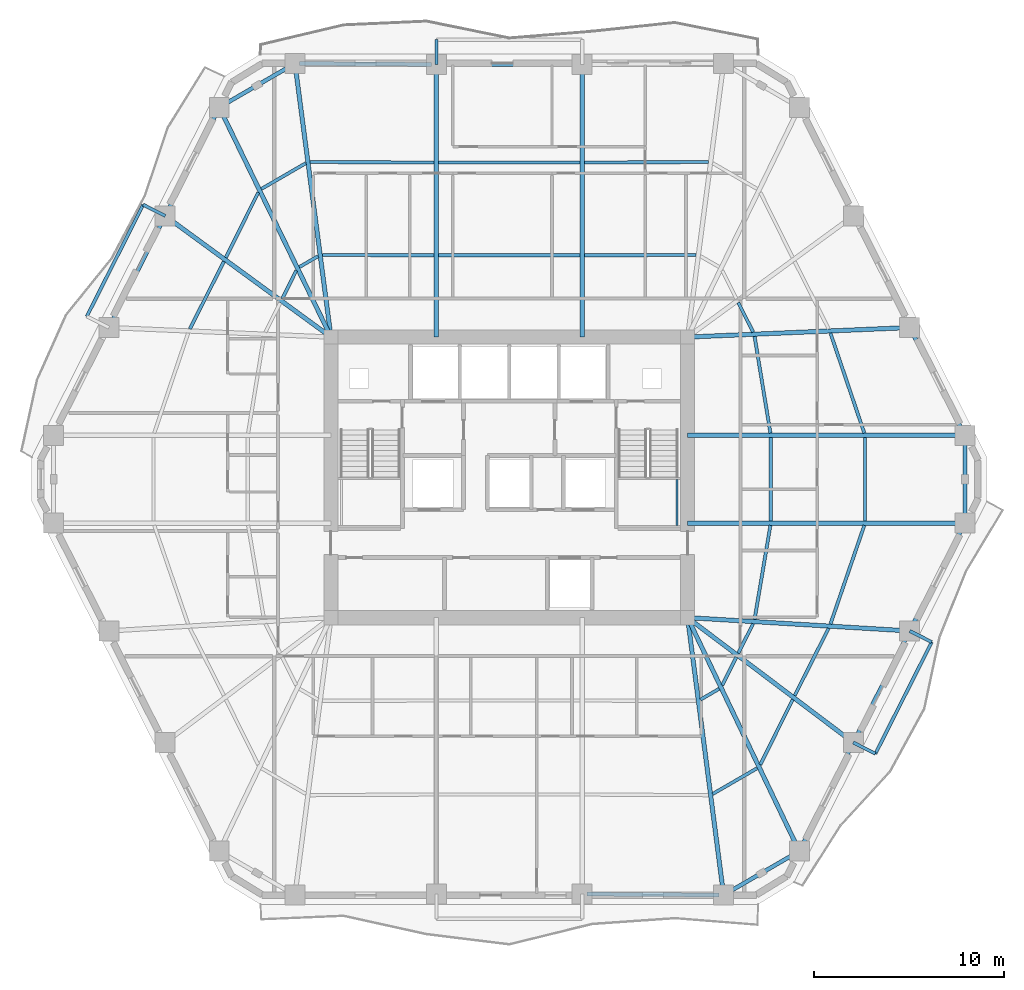
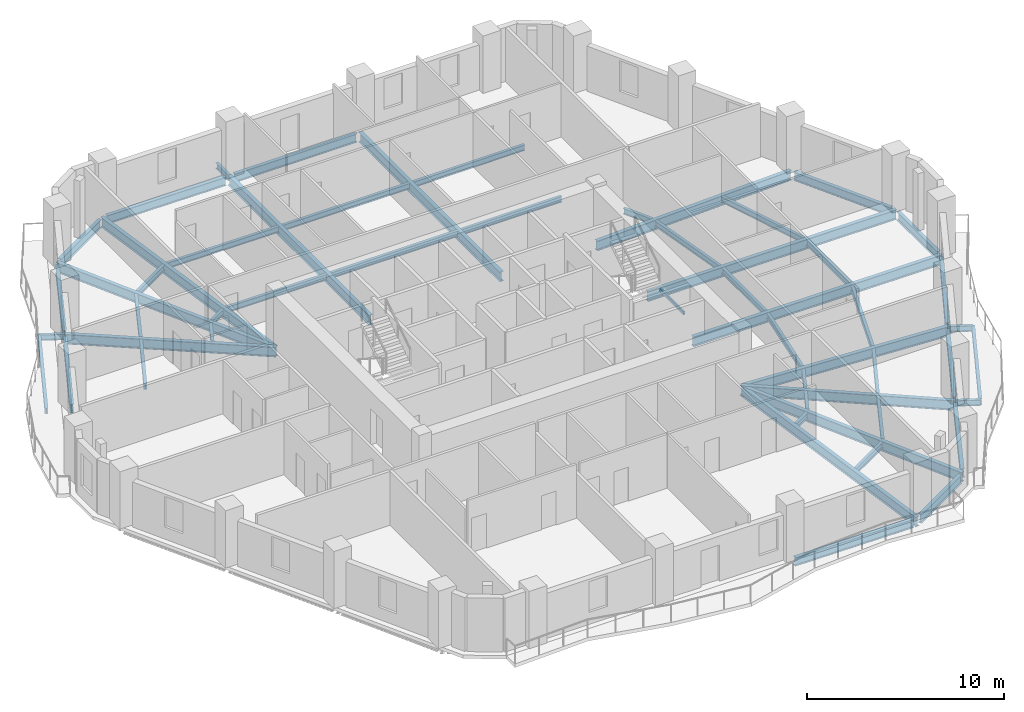
# One storey, part 2 of 10: 55 beams.
"""IFC4 building model written with IfcOpenShell, lengths in metres."""

from ifc_helpers import new_model, si_unit, direction, frame, origin, origin_2d, place, context, subcontext, project, spatial, hollow_rectangle, i_section, extrude, material, material_profile, profile_set, type_object, element, save


model = new_model("IFC4")

# Units and contexts
model_context = context("Model", 3, precision=1e-05, world=origin(), true_north=direction((0.0, 1.0)))
body_context = subcontext(model_context, "Body", "Model", "MODEL_VIEW")
ifc_project = project(units=[si_unit("LENGTHUNIT", "METRE"), si_unit("AREAUNIT", "SQUARE_METRE"), si_unit("VOLUMEUNIT", "CUBIC_METRE"), si_unit("PLANEANGLEUNIT", "RADIAN"), si_unit("MASSUNIT", "GRAM", prefix="KILO")], contexts=[model_context])

# Site, building, storey
site_placement = place(None, origin())
site = spatial("IfcSite", under=ifc_project, at=site_placement, CompositionType="ELEMENT")
building_placement = place(site_placement, origin())
building = spatial("IfcBuilding", under=site, at=building_placement, Name="Cinnabar Lancet Tower", CompositionType="ELEMENT")
storey_placement = place(building_placement, frame((0.0, 0.0, 116.14990234375)))
storey = spatial("IfcBuildingStorey", under=building, at=storey_placement, Name="L30", CompositionType="ELEMENT", Elevation=116.14990234375)

# Beams
ifc_material_1 = material(Name="Structural steel S355", Category="steel")
ifc_material_profile_1 = material_profile(ifc_material_1, i_section(OverallWidth=0.17138671875, OverallDepth=0.35498046875, WebThickness=0.00732421875, FlangeThickness=0.011474609375, FilletRadius=0.01025390625, at=origin_2d()), Name="UKB 356x171x51")
ifc_profile_set_1 = profile_set([ifc_material_profile_1], Name="Structural steel S355")
beam_type_1 = type_object("IfcBeamType", Name="STR-BM-JST-356", PredefinedType="JOIST", material=ifc_profile_set_1)
beam_1_placement = place(storey_placement, frame((43.093994140625, 9.251953125, -0.386962890625), z_axis=(0.865172906898, 0.501473669469, 0.0), x_axis=(-0.501473669469, 0.865172906898, 0.0)))
element("IfcBeam", 1, at=beam_1_placement, inside=storey, type_object=beam_type_1, Name="L30 Secondary Floor Joist 15", PredefinedType="JOIST", context=body_context, shape_type="SweptSolid", body=[
    extrude(i_section(OverallWidth=0.17138671875, OverallDepth=0.35498046875, WebThickness=0.00732421875, FlangeThickness=0.011474609375, FilletRadius=0.01025390625, at=origin_2d()), origin(), (0.0, 0.0, 1.0), 2.705810546875),
])
beam_2_placement = place(storey_placement, frame((42.449951171875, 14.2109375, -0.386962890625), z_axis=(0.865055308165, 0.501676503154, 0.0), x_axis=(-0.501676503154, 0.865055308165, 0.0)))
element("IfcBeam", 2, at=beam_2_placement, inside=storey, type_object=beam_type_1, Name="L30 Secondary Floor Joist 16", PredefinedType="JOIST", context=body_context, shape_type="SweptSolid", body=[
    extrude(i_section(OverallWidth=0.17138671875, OverallDepth=0.35498046875, WebThickness=0.00732421875, FlangeThickness=0.011474609375, FilletRadius=0.01025390625, at=origin_2d()), origin(), (0.0, 0.0, 1.0), 1.14208984375),
])
beam_3_placement = place(storey_placement, frame((45.59912109375, 10.7958984375, -0.386962890625), z_axis=(0.445295120803, 0.895383859241, 0.0), x_axis=(-0.895383859241, 0.445295120803, 0.0)))
element("IfcBeam", 3, at=beam_3_placement, inside=storey, type_object=beam_type_1, Name="L30 Secondary Floor Joist 17", PredefinedType="JOIST", context=body_context, shape_type="SweptSolid", body=[
    extrude(i_section(OverallWidth=0.17138671875, OverallDepth=0.35498046875, WebThickness=0.00732421875, FlangeThickness=0.011474609375, FilletRadius=0.01025390625, at=origin_2d()), origin(), (0.0, 0.0, 1.0), 3.81982421875),
])
beam_4_placement = place(storey_placement, frame((43.60205078125, 14.970947265625, -0.386962890625), z_axis=(0.44543923568, 0.895312173109, 0.0), x_axis=(-0.895312173109, 0.44543923568, 0.0)))
element("IfcBeam", 4, at=beam_4_placement, inside=storey, type_object=beam_type_1, Name="L30 Secondary Floor Joist 18", PredefinedType="JOIST", context=body_context, shape_type="SweptSolid", body=[
    extrude(i_section(OverallWidth=0.17138671875, OverallDepth=0.35498046875, WebThickness=0.00732421875, FlangeThickness=0.011474609375, FilletRadius=0.01025390625, at=origin_2d()), origin(), (0.0, 0.0, 1.0), 1.65185546875),
])
beam_5_placement = place(storey_placement, frame((47.404052734375, 14.424072265625, -0.386962890625), z_axis=(0.450706028652, 0.892672434736, 0.0), x_axis=(-0.892672434736, 0.450706028652, 0.0)))
element("IfcBeam", 5, at=beam_5_placement, inside=storey, type_object=beam_type_1, Name="L30 Secondary Floor Joist 19", PredefinedType="JOIST", context=body_context, shape_type="SweptSolid", body=[
    extrude(i_section(OverallWidth=0.17138671875, OverallDepth=0.35498046875, WebThickness=0.00732421875, FlangeThickness=0.011474609375, FilletRadius=0.01025390625, at=origin_2d()), origin(), (0.0, 0.0, 1.0), 3.966796875),
])
beam_6_placement = place(storey_placement, frame((44.44091796875, 16.657958984375, -0.386962890625), z_axis=(0.450874341268, 0.892587434589, 0.0), x_axis=(-0.892587434589, 0.450874341268, 0.0)))
element("IfcBeam", 6, at=beam_6_placement, inside=storey, type_object=beam_type_1, Name="L30 Secondary Floor Joist 20", PredefinedType="JOIST", context=body_context, shape_type="SweptSolid", body=[
    extrude(i_section(OverallWidth=0.17138671875, OverallDepth=0.35498046875, WebThickness=0.00732421875, FlangeThickness=0.011474609375, FilletRadius=0.01025390625, at=origin_2d()), origin(), (0.0, 0.0, 1.0), 1.732177734375),
])
beam_7_placement = place(storey_placement, frame((49.287109375, 18.18798828125, -0.386962890625), z_axis=(0.324639458548, 0.945837841257, 0.0), x_axis=(-0.945837841257, 0.324639458548, 0.0)))
element("IfcBeam", 7, at=beam_7_placement, inside=storey, type_object=beam_type_1, Name="L30 Secondary Floor Joist 21", PredefinedType="JOIST", context=body_context, shape_type="SweptSolid", body=[
    extrude(i_section(OverallWidth=0.17138671875, OverallDepth=0.35498046875, WebThickness=0.00732421875, FlangeThickness=0.011474609375, FilletRadius=0.01025390625, at=origin_2d()), origin(), (0.0, 0.0, 1.0), 5.486083984375),
])
beam_8_placement = place(storey_placement, frame((45.297119140625, 18.427978515625, -0.386962890625), z_axis=(0.165937104691, 0.986136338082, 0.0), x_axis=(-0.986136338082, 0.165937104691, 0.0)))
element("IfcBeam", 8, at=beam_8_placement, inside=storey, type_object=beam_type_1, Name="L30 Secondary Floor Joist 22", PredefinedType="JOIST", context=body_context, shape_type="SweptSolid", body=[
    extrude(i_section(OverallWidth=0.17138671875, OverallDepth=0.35498046875, WebThickness=0.00732421875, FlangeThickness=0.011474609375, FilletRadius=0.01025390625, at=origin_2d()), origin(), (0.0, 0.0, 1.0), 5.0185546875),
])
for number, where, z_axis, x_axis, name in (
    (9, (51.10693359375, 23.60498046875, -0.386962890625), (0.0, 1.0, 0.0), (-1.0, 0.0, 0.0), "L30 Secondary Floor Joist 23"),
    (10, (46.14990234375, 23.60498046875, -0.386962890625), (0.0, 1.0, 0.0), (-1.0, 0.0, 0.0), "L30 Secondary Floor Joist 24"),
):
    element("IfcBeam", number, at=place(storey_placement, frame(where, z_axis=z_axis, x_axis=x_axis)), inside=storey, type_object=beam_type_1, Name=name, PredefinedType="JOIST", context=body_context, shape_type="SweptSolid", body=[
        extrude(i_section(OverallWidth=0.17138671875, OverallDepth=0.35498046875, WebThickness=0.00732421875, FlangeThickness=0.011474609375, FilletRadius=0.01025390625, at=origin_2d()), origin(), (0.0, 0.0, 1.0), 4.39013671875),
    ])
beam_9_placement = place(storey_placement, frame((51.069091796875, 28.222900390625, -0.386962890625), z_axis=(-0.321063338019, 0.947057724207, 0.0), x_axis=(-0.947057724207, -0.321063338019, 0.0)))
element("IfcBeam", 11, at=beam_9_placement, inside=storey, type_object=beam_type_1, Name="L30 Secondary Floor Joist 25", PredefinedType="JOIST", context=body_context, shape_type="SweptSolid", body=[
    extrude(i_section(OverallWidth=0.17138671875, OverallDepth=0.35498046875, WebThickness=0.00732421875, FlangeThickness=0.011474609375, FilletRadius=0.01025390625, at=origin_2d()), origin(), (0.0, 0.0, 1.0), 5.553955078125),
])
beam_10_placement = place(storey_placement, frame((46.131103515625, 28.222900390625, -0.386962890625), z_axis=(-0.161719098977, 0.986836832017, 0.0), x_axis=(-0.986836832017, -0.161719098977, 0.0)))
element("IfcBeam", 12, at=beam_10_placement, inside=storey, type_object=beam_type_1, Name="L30 Secondary Floor Joist 26", PredefinedType="JOIST", context=body_context, shape_type="SweptSolid", body=[
    extrude(i_section(OverallWidth=0.17138671875, OverallDepth=0.35498046875, WebThickness=0.00732421875, FlangeThickness=0.011474609375, FilletRadius=0.01025390625, at=origin_2d()), origin(), (0.0, 0.0, 1.0), 5.156982421875),
])
beam_11_placement = place(storey_placement, frame((45.221923828125, 33.537109375, -0.386962890625), z_axis=(-0.450931068976, 0.892558777354, 0.0), x_axis=(-0.892558777354, -0.450931068976, 0.0)))
element("IfcBeam", 13, at=beam_11_placement, inside=storey, type_object=beam_type_1, Name="L30 Secondary Floor Joist 28", PredefinedType="JOIST", context=body_context, shape_type="SweptSolid", body=[
    extrude(i_section(OverallWidth=0.17138671875, OverallDepth=0.35498046875, WebThickness=0.00732421875, FlangeThickness=0.011474609375, FilletRadius=0.01025390625, at=origin_2d()), origin(), (0.0, 0.0, 1.0), 1.73193359375),
])
beam_12_placement = place(storey_placement, frame((42.8720703125, 42.48095703125, -0.386962890625), z_axis=(-0.999987991898, -0.004900618269, 0.0), x_axis=(0.004900618269, -0.999987991898, 0.0)))
element("IfcBeam", 14, at=beam_12_placement, inside=storey, type_object=beam_type_1, Name="L30 Secondary Floor Joist 33", PredefinedType="JOIST", context=body_context, shape_type="SweptSolid", body=[
    extrude(i_section(OverallWidth=0.17138671875, OverallDepth=0.35498046875, WebThickness=0.00732421875, FlangeThickness=0.011474609375, FilletRadius=0.01025390625, at=origin_2d()), origin(), (0.0, 0.0, 1.0), 6.526123046875),
])
beam_13_placement = place(storey_placement, frame((42.22802734375, 37.591064453125, -0.386962890625), z_axis=(-0.999996247906, -0.002739374605, 0.0), x_axis=(0.002739374605, -0.999996247906, 0.0)))
element("IfcBeam", 15, at=beam_13_placement, inside=storey, type_object=beam_type_1, Name="L30 Secondary Floor Joist 34", PredefinedType="JOIST", context=body_context, shape_type="SweptSolid", body=[
    extrude(i_section(OverallWidth=0.17138671875, OverallDepth=0.35498046875, WebThickness=0.00732421875, FlangeThickness=0.011474609375, FilletRadius=0.01025390625, at=origin_2d()), origin(), (0.0, 0.0, 1.0), 5.882080078125),
])
for number, where, z_axis, x_axis, name in (
    (16, (36.117919921875, 42.447998046875, -0.386962890625), (-1.0, 0.0, 0.0), (0.0, -1.0, 0.0), "L30 Secondary Floor Joist 35"),
    (17, (36.117919921875, 37.574951171875, -0.386962890625), (-1.0, 0.0, 0.0), (0.0, -1.0, 0.0), "L30 Secondary Floor Joist 36"),
):
    element("IfcBeam", number, at=place(storey_placement, frame(where, z_axis=z_axis, x_axis=x_axis)), inside=storey, type_object=beam_type_1, Name=name, PredefinedType="JOIST", context=body_context, shape_type="SweptSolid", body=[
        extrude(i_section(OverallWidth=0.17138671875, OverallDepth=0.35498046875, WebThickness=0.00732421875, FlangeThickness=0.011474609375, FilletRadius=0.01025390625, at=origin_2d()), origin(), (0.0, 0.0, 1.0), 7.43603515625),
    ])
beam_14_placement = place(storey_placement, frame((28.4541015625, 42.448974609375, -0.386962890625), z_axis=(-0.999987991898, 0.004900618269, 0.0), x_axis=(-0.004900618269, -0.999987991898, 0.0)))
element("IfcBeam", 18, at=beam_14_placement, inside=storey, type_object=beam_type_1, Name="L30 Secondary Floor Joist 37", PredefinedType="JOIST", context=body_context, shape_type="SweptSolid", body=[
    extrude(i_section(OverallWidth=0.17138671875, OverallDepth=0.35498046875, WebThickness=0.00732421875, FlangeThickness=0.011474609375, FilletRadius=0.01025390625, at=origin_2d()), origin(), (0.0, 0.0, 1.0), 6.526123046875),
])
beam_15_placement = place(storey_placement, frame((28.4541015625, 37.574951171875, -0.386962890625), z_axis=(-0.999996247906, 0.002739374605, 0.0), x_axis=(-0.002739374605, -0.999996247906, 0.0)))
element("IfcBeam", 19, at=beam_15_placement, inside=storey, type_object=beam_type_1, Name="L30 Secondary Floor Joist 38", PredefinedType="JOIST", context=body_context, shape_type="SweptSolid", body=[
    extrude(i_section(OverallWidth=0.17138671875, OverallDepth=0.35498046875, WebThickness=0.00732421875, FlangeThickness=0.011474609375, FilletRadius=0.01025390625, at=origin_2d()), origin(), (0.0, 0.0, 1.0), 5.882080078125),
])
beam_16_placement = place(storey_placement, frame((21.7060546875, 42.419921875, -0.386962890625), z_axis=(-0.865172906898, -0.501473669469, 0.0), x_axis=(0.501473669469, -0.865172906898, 0.0)))
element("IfcBeam", 20, at=beam_16_placement, inside=storey, type_object=beam_type_1, Name="L30 Secondary Floor Joist 39", PredefinedType="JOIST", context=body_context, shape_type="SweptSolid", body=[
    extrude(i_section(OverallWidth=0.17138671875, OverallDepth=0.35498046875, WebThickness=0.00732421875, FlangeThickness=0.011474609375, FilletRadius=0.01025390625, at=origin_2d()), origin(), (0.0, 0.0, 1.0), 2.705810546875),
])
beam_17_placement = place(storey_placement, frame((22.35009765625, 37.529052734375, -0.386962890625), z_axis=(-0.865055308165, -0.501676503154, 0.0), x_axis=(0.501676503154, -0.865055308165, 0.0)))
element("IfcBeam", 21, at=beam_17_placement, inside=storey, type_object=beam_type_1, Name="L30 Secondary Floor Joist 40", PredefinedType="JOIST", context=body_context, shape_type="SweptSolid", body=[
    extrude(i_section(OverallWidth=0.17138671875, OverallDepth=0.35498046875, WebThickness=0.00732421875, FlangeThickness=0.011474609375, FilletRadius=0.01025390625, at=origin_2d()), origin(), (0.0, 0.0, 1.0), 1.14208984375),
])
beam_18_placement = place(storey_placement, frame((19.200927734375, 40.876953125, -0.386962890625), z_axis=(-0.445116798807, -0.895472520751, 0.0), x_axis=(0.895472520751, -0.445116798807, 0.0)))
element("IfcBeam", 22, at=beam_18_placement, inside=storey, type_object=beam_type_1, Name="L30 Secondary Floor Joist 41", PredefinedType="JOIST", context=body_context, shape_type="SweptSolid", body=[
    extrude(i_section(OverallWidth=0.17138671875, OverallDepth=0.35498046875, WebThickness=0.00732421875, FlangeThickness=0.011474609375, FilletRadius=0.01025390625, at=origin_2d()), origin(), (0.0, 0.0, 1.0), 3.8212890625),
])
beam_19_placement = place(storey_placement, frame((21.198974609375, 36.77001953125, -0.386962890625), z_axis=(-0.445795466264, -0.895134851438, 0.0), x_axis=(0.895134851438, -0.445795466264, 0.0)))
element("IfcBeam", 23, at=beam_19_placement, inside=storey, type_object=beam_type_1, Name="L30 Secondary Floor Joist 42", PredefinedType="JOIST", context=body_context, shape_type="SweptSolid", body=[
    extrude(i_section(OverallWidth=0.17138671875, OverallDepth=0.35498046875, WebThickness=0.00732421875, FlangeThickness=0.011474609375, FilletRadius=0.01025390625, at=origin_2d()), origin(), (0.0, 0.0, 1.0), 1.6533203125),
])
beam_20_placement = place(storey_placement, frame((17.39599609375, 37.2490234375, -0.386962890625), z_axis=(-0.450656035687, -0.892697674187, 0.0), x_axis=(0.892697674187, -0.450656035687, 0.0)))
element("IfcBeam", 24, at=beam_20_placement, inside=storey, type_object=beam_type_1, Name="L30 Secondary Floor Joist 43", PredefinedType="JOIST", context=body_context, shape_type="SweptSolid", body=[
    extrude(i_section(OverallWidth=0.17138671875, OverallDepth=0.35498046875, WebThickness=0.00732421875, FlangeThickness=0.011474609375, FilletRadius=0.01025390625, at=origin_2d()), origin(), (0.0, 0.0, 1.0), 3.9677734375),
])
ifc_material_2 = material(Name="Structural steel S355", Category="steel")
ifc_material_profile_2 = material_profile(ifc_material_2, hollow_rectangle(XDim=0.10009765625, YDim=0.199951171875, WallThickness=0.008056640625, InnerFilletRadius=0.00390625, OuterFilletRadius=0.011962890625, at=origin_2d()), Name="RHS 200x100x8")
ifc_profile_set_2 = profile_set([ifc_material_profile_2], Name="Structural steel S355")
beam_type_2 = type_object("IfcBeamType", Name="STR-BM-LND-203", PredefinedType="BEAM", material=ifc_profile_set_2)
beam_21_placement = place(storey_placement, frame((41.219970703125, 23.3798828125, 1.47509765625), z_axis=(0.0, 1.0, 0.0), x_axis=(-1.0, 0.0, 0.0)))
element("IfcBeam", 25, at=beam_21_placement, inside=storey, type_object=beam_type_2, Name="L30 ST-2-L30 Landing Side Trimmer Beam", PredefinedType="BEAM", context=body_context, shape_type="SweptSolid", body=[
    extrude(hollow_rectangle(XDim=0.10009765625, YDim=0.199951171875, WallThickness=0.008056640625, InnerFilletRadius=0.00390625, OuterFilletRadius=0.011962890625, at=origin_2d()), origin(), (0.0, 0.0, 1.0), 2.4150390625),
])
ifc_material_3 = material(Name="Structural steel S355", Category="steel")
ifc_material_profile_3 = material_profile(ifc_material_3, i_section(OverallWidth=0.209228515625, OverallDepth=0.533203125, WebThickness=0.010009765625, FlangeThickness=0.015625, FilletRadius=0.0126953125, at=origin_2d()), Name="UKB 533x210x92")
ifc_profile_set_3 = profile_set([ifc_material_profile_3], Name="Structural steel S355")
beam_type_3 = type_object("IfcBeamType", Name="STR-BM-SPN-533", PredefinedType="SPANDREL", material=ifc_profile_set_3)
beam_22_placement = place(storey_placement, frame((36.48193359375, 3.989990234375, -0.476806640625), z_axis=(0.999974980359, -0.007073800628, 0.0), x_axis=(0.007073800628, 0.999974980359, 0.0)))
element("IfcBeam", 26, at=beam_22_placement, inside=storey, type_object=beam_type_3, Name="L30 Perimeter Spandrel 3", PredefinedType="SPANDREL", context=body_context, shape_type="SweptSolid", body=[
    extrude(i_section(OverallWidth=0.209228515625, OverallDepth=0.533203125, WebThickness=0.010009765625, FlangeThickness=0.015625, FilletRadius=0.0126953125, at=origin_2d()), origin(), (0.0, 0.0, 1.0), 6.937255859375),
])
beam_23_placement = place(storey_placement, frame((43.885009765625, 4.06396484375, -0.476806640625), z_axis=(0.865112299906, 0.501578217781, 0.0), x_axis=(-0.501578217781, 0.865112299906, 0.0)))
element("IfcBeam", 27, at=beam_23_placement, inside=storey, type_object=beam_type_3, Name="L30 Perimeter Spandrel 4", PredefinedType="SPANDREL", context=body_context, shape_type="SweptSolid", body=[
    extrude(i_section(OverallWidth=0.209228515625, OverallDepth=0.533203125, WebThickness=0.010009765625, FlangeThickness=0.015625, FilletRadius=0.0126953125, at=origin_2d()), origin(), (0.0, 0.0, 1.0), 4.101318359375),
])
beam_24_placement = place(storey_placement, frame((47.760009765625, 6.469970703125, -0.476806640625), z_axis=(0.445501068635, 0.89528140707, 0.0), x_axis=(-0.89528140707, 0.445501068635, 0.0)))
element("IfcBeam", 28, at=beam_24_placement, inside=storey, type_object=beam_type_3, Name="L30 Perimeter Spandrel 5", PredefinedType="SPANDREL", context=body_context, shape_type="SweptSolid", body=[
    extrude(i_section(OverallWidth=0.209228515625, OverallDepth=0.533203125, WebThickness=0.010009765625, FlangeThickness=0.015625, FilletRadius=0.0126953125, at=origin_2d()), origin(), (0.0, 0.0, 1.0), 5.87646484375),
])
beam_25_placement = place(storey_placement, frame((50.60205078125, 12.177978515625, -0.476806640625), z_axis=(0.450570325924, 0.892740937449, 0.0), x_axis=(-0.892740937449, 0.450570325924, 0.0)))
element("IfcBeam", 29, at=beam_25_placement, inside=storey, type_object=beam_type_3, Name="L30 Perimeter Spandrel 6", PredefinedType="SPANDREL", context=body_context, shape_type="SweptSolid", body=[
    extrude(i_section(OverallWidth=0.209228515625, OverallDepth=0.533203125, WebThickness=0.010009765625, FlangeThickness=0.015625, FilletRadius=0.0126953125, at=origin_2d()), origin(), (0.0, 0.0, 1.0), 6.07470703125),
])
beam_26_placement = place(storey_placement, frame((53.56591796875, 18.0458984375, -0.476806640625), z_axis=(0.456109733574, 0.889923542187, 0.0), x_axis=(-0.889923542187, 0.456109733574, 0.0)))
element("IfcBeam", 30, at=beam_26_placement, inside=storey, type_object=beam_type_3, Name="L30 Perimeter Spandrel 7", PredefinedType="SPANDREL", context=body_context, shape_type="SweptSolid", body=[
    extrude(i_section(OverallWidth=0.209228515625, OverallDepth=0.533203125, WebThickness=0.010009765625, FlangeThickness=0.015625, FilletRadius=0.0126953125, at=origin_2d()), origin(), (0.0, 0.0, 1.0), 5.869140625),
])
beam_27_placement = place(storey_placement, frame((56.35693359375, 23.740966796875, -0.476806640625), z_axis=(0.0, 1.0, 0.0), x_axis=(-1.0, 0.0, 0.0)))
element("IfcBeam", 31, at=beam_27_placement, inside=storey, type_object=beam_type_3, Name="L30 Perimeter Spandrel 8", PredefinedType="SPANDREL", context=body_context, shape_type="SweptSolid", body=[
    extrude(i_section(OverallWidth=0.209228515625, OverallDepth=0.533203125, WebThickness=0.010009765625, FlangeThickness=0.015625, FilletRadius=0.0126953125, at=origin_2d()), origin(), (0.0, 0.0, 1.0), 4.117919921875),
])
beam_28_placement = place(storey_placement, frame((56.242919921875, 28.3310546875, -0.476806640625), z_axis=(-0.456126618405, 0.889914888055, 0.0), x_axis=(-0.889914888055, -0.456126618405, 0.0)))
element("IfcBeam", 32, at=beam_28_placement, inside=storey, type_object=beam_type_3, Name="L30 Perimeter Spandrel 9", PredefinedType="SPANDREL", context=body_context, shape_type="SweptSolid", body=[
    extrude(i_section(OverallWidth=0.209228515625, OverallDepth=0.533203125, WebThickness=0.010009765625, FlangeThickness=0.015625, FilletRadius=0.0126953125, at=origin_2d()), origin(), (0.0, 0.0, 1.0), 5.868896484375),
])
beam_29_placement = place(storey_placement, frame((35.98193359375, 47.60791015625, -0.476806640625), z_axis=(-1.0, 0.0, 0.0), x_axis=(0.0, -1.0, 0.0)))
element("IfcBeam", 33, at=beam_29_placement, inside=storey, type_object=beam_type_3, Name="L30 Perimeter Spandrel 14", PredefinedType="SPANDREL", context=body_context, shape_type="SweptSolid", body=[
    extrude(i_section(OverallWidth=0.209228515625, OverallDepth=0.533203125, WebThickness=0.010009765625, FlangeThickness=0.015625, FilletRadius=0.0126953125, at=origin_2d()), origin(), (0.0, 0.0, 1.0), 7.163818359375),
])
beam_30_placement = place(storey_placement, frame((28.318115234375, 47.610107421875, -0.476806640625), z_axis=(-0.999975228682, 0.007038609338, 0.0), x_axis=(-0.007038609338, -0.999975228682, 0.0)))
element("IfcBeam", 34, at=beam_30_placement, inside=storey, type_object=beam_type_3, Name="L30 Perimeter Spandrel 15", PredefinedType="SPANDREL", context=body_context, shape_type="SweptSolid", body=[
    extrude(i_section(OverallWidth=0.209228515625, OverallDepth=0.533203125, WebThickness=0.010009765625, FlangeThickness=0.015625, FilletRadius=0.0126953125, at=origin_2d()), origin(), (0.0, 0.0, 1.0), 6.937255859375),
])
beam_31_placement = place(storey_placement, frame((20.9150390625, 47.535888671875, -0.476806640625), z_axis=(-0.865138129765, -0.5015336643, 0.0), x_axis=(0.5015336643, -0.865138129765, 0.0)))
element("IfcBeam", 35, at=beam_31_placement, inside=storey, type_object=beam_type_3, Name="L30 Perimeter Spandrel 16", PredefinedType="SPANDREL", context=body_context, shape_type="SweptSolid", body=[
    extrude(i_section(OverallWidth=0.209228515625, OverallDepth=0.533203125, WebThickness=0.010009765625, FlangeThickness=0.015625, FilletRadius=0.0126953125, at=origin_2d()), origin(), (0.0, 0.0, 1.0), 4.10107421875),
])
beam_32_placement = place(storey_placement, frame((17.0400390625, 45.1298828125, -0.476806640625), z_axis=(-0.445501068635, -0.89528140707, 0.0), x_axis=(0.89528140707, -0.445501068635, 0.0)))
element("IfcBeam", 36, at=beam_32_placement, inside=storey, type_object=beam_type_3, Name="L30 Perimeter Spandrel 17", PredefinedType="SPANDREL", context=body_context, shape_type="SweptSolid", body=[
    extrude(i_section(OverallWidth=0.209228515625, OverallDepth=0.533203125, WebThickness=0.010009765625, FlangeThickness=0.015625, FilletRadius=0.0126953125, at=origin_2d()), origin(), (0.0, 0.0, 1.0), 5.87646484375),
])
beam_33_placement = place(storey_placement, frame((14.197998046875, 39.422119140625, -0.476806640625), z_axis=(-0.450570325924, -0.892740937449, 0.0), x_axis=(0.892740937449, -0.450570325924, 0.0)))
element("IfcBeam", 37, at=beam_33_placement, inside=storey, type_object=beam_type_3, Name="L30 Perimeter Spandrel 18", PredefinedType="SPANDREL", context=body_context, shape_type="SweptSolid", body=[
    extrude(i_section(OverallWidth=0.209228515625, OverallDepth=0.533203125, WebThickness=0.010009765625, FlangeThickness=0.015625, FilletRadius=0.0126953125, at=origin_2d()), origin(), (0.0, 0.0, 1.0), 6.07470703125),
])
ifc_material_4 = material(Name="Structural steel S355", Category="steel")
ifc_material_profile_4 = material_profile(ifc_material_4, i_section(OverallWidth=0.228271484375, OverallDepth=0.607666015625, WebThickness=0.010986328125, FlangeThickness=0.017333984375, FilletRadius=0.0126953125, at=origin_2d()), Name="UKB 610x229x113")
ifc_profile_set_4 = profile_set([ifc_material_profile_4], Name="Structural steel S355")
beam_type_4 = type_object("IfcBeamType", Name="STR-BM-UKB610-113", PredefinedType="BEAM", material=ifc_profile_set_4)
beam_34_placement = place(storey_placement, frame((50.489013671875, 11.955078125, -0.513916015625), z_axis=(-0.798491457835, 0.602006139308, 0.0), x_axis=(-0.602006139308, -0.798491457835, 0.0)))
element("IfcBeam", 38, at=beam_34_placement, inside=storey, type_object=beam_type_4, Name="L30 Corner Collector Girder 2", PredefinedType="BEAM", context=body_context, shape_type="SweptSolid", body=[
    extrude(i_section(OverallWidth=0.228271484375, OverallDepth=0.607666015625, WebThickness=0.010986328125, FlangeThickness=0.017333984375, FilletRadius=0.0126953125, at=origin_2d()), origin(), (0.0, 0.0, 1.0), 10.913330078125),
])
beam_35_placement = place(storey_placement, frame((14.31103515625, 39.64501953125, -0.513916015625), z_axis=(0.807289993592, -0.590154951048, 0.0), x_axis=(0.590154951048, 0.807289993592, 0.0)))
element("IfcBeam", 39, at=beam_35_placement, inside=storey, type_object=beam_type_4, Name="L30 Corner Collector Girder 4", PredefinedType="BEAM", context=body_context, shape_type="SweptSolid", body=[
    extrude(i_section(OverallWidth=0.228271484375, OverallDepth=0.607666015625, WebThickness=0.010986328125, FlangeThickness=0.017333984375, FilletRadius=0.0126953125, at=origin_2d()), origin(), (0.0, 0.0, 1.0), 10.7939453125),
])
beam_36_placement = place(storey_placement, frame((43.6689453125, 3.93896484375, -0.513916015625), z_axis=(-0.12877289353, 0.99167411073, 0.0), x_axis=(-0.99167411073, -0.12877289353, 0.0)))
element("IfcBeam", 40, at=beam_36_placement, inside=storey, type_object=beam_type_4, Name="L30 Primary Floor Girder 4", PredefinedType="BEAM", context=body_context, shape_type="SweptSolid", body=[
    extrude(i_section(OverallWidth=0.228271484375, OverallDepth=0.607666015625, WebThickness=0.010986328125, FlangeThickness=0.017333984375, FilletRadius=0.0126953125, at=origin_2d()), origin(), (0.0, 0.0, 1.0), 14.70849609375),
])
beam_37_placement = place(storey_placement, frame((47.64892578125, 6.24609375, -0.513916015625), z_axis=(-0.431548156881, 0.902089900339, 0.0), x_axis=(-0.902089900339, -0.431548156881, 0.0)))
element("IfcBeam", 41, at=beam_37_placement, inside=storey, type_object=beam_type_4, Name="L30 Primary Floor Girder 5", PredefinedType="BEAM", context=body_context, shape_type="SweptSolid", body=[
    extrude(i_section(OverallWidth=0.228271484375, OverallDepth=0.607666015625, WebThickness=0.010986328125, FlangeThickness=0.017333984375, FilletRadius=0.0126953125, at=origin_2d()), origin(), (0.0, 0.0, 1.0), 13.611572265625),
])
beam_38_placement = place(storey_placement, frame((53.451904296875, 17.823974609375, -0.513916015625), z_axis=(-0.998203272991, 0.059918492897, 0.0), x_axis=(-0.059918492897, -0.998203272991, 0.0)))
element("IfcBeam", 42, at=beam_38_placement, inside=storey, type_object=beam_type_4, Name="L30 Primary Floor Girder 7", PredefinedType="BEAM", context=body_context, shape_type="SweptSolid", body=[
    extrude(i_section(OverallWidth=0.228271484375, OverallDepth=0.607666015625, WebThickness=0.010986328125, FlangeThickness=0.017333984375, FilletRadius=0.0126953125, at=origin_2d()), origin(), (0.0, 0.0, 1.0), 11.697998046875),
])
for number, where, z_axis, x_axis, name in (
    (43, (56.35693359375, 23.490966796875, -0.513916015625), (-1.0, 0.0, 0.0), (0.0, -1.0, 0.0), "L30 Primary Floor Girder 8"),
    (44, (56.35693359375, 28.10888671875, -0.513916015625), (-1.0, 0.0, 0.0), (0.0, -1.0, 0.0), "L30 Primary Floor Girder 9"),
):
    element("IfcBeam", number, at=place(storey_placement, frame(where, z_axis=z_axis, x_axis=x_axis)), inside=storey, type_object=beam_type_4, Name=name, PredefinedType="BEAM", context=body_context, shape_type="SweptSolid", body=[
        extrude(i_section(OverallWidth=0.228271484375, OverallDepth=0.607666015625, WebThickness=0.010986328125, FlangeThickness=0.017333984375, FilletRadius=0.0126953125, at=origin_2d()), origin(), (0.0, 0.0, 1.0), 14.58203125),
    ])
beam_39_placement = place(storey_placement, frame((53.451904296875, 33.77587890625, -0.513916015625), z_axis=(-0.999080941658, -0.042863411158, 0.0), x_axis=(0.042863411158, -0.999080941658, 0.0)))
element("IfcBeam", 45, at=beam_39_placement, inside=storey, type_object=beam_type_4, Name="L30 Primary Floor Girder 10", PredefinedType="BEAM", context=body_context, shape_type="SweptSolid", body=[
    extrude(i_section(OverallWidth=0.228271484375, OverallDepth=0.607666015625, WebThickness=0.010986328125, FlangeThickness=0.017333984375, FilletRadius=0.0126953125, at=origin_2d()), origin(), (0.0, 0.0, 1.0), 11.687744140625),
])
for number, where, z_axis, x_axis, name in (
    (46, (36.23193359375, 47.60791015625, -0.513916015625), (0.0, -1.0, 0.0), (1.0, 0.0, 0.0), "L30 Primary Floor Girder 14"),
    (47, (28.568115234375, 47.60791015625, -0.513916015625), (0.0, -1.0, 0.0), (1.0, 0.0, 0.0), "L30 Primary Floor Girder 15"),
):
    element("IfcBeam", number, at=place(storey_placement, frame(where, z_axis=z_axis, x_axis=x_axis)), inside=storey, type_object=beam_type_4, Name=name, PredefinedType="BEAM", context=body_context, shape_type="SweptSolid", body=[
        extrude(i_section(OverallWidth=0.228271484375, OverallDepth=0.607666015625, WebThickness=0.010986328125, FlangeThickness=0.017333984375, FilletRadius=0.0126953125, at=origin_2d()), origin(), (0.0, 0.0, 1.0), 14.3330078125),
    ])
beam_40_placement = place(storey_placement, frame((21.131103515625, 47.660888671875, -0.513916015625), z_axis=(0.130515881524, -0.991446218748, 0.0), x_axis=(0.991446218748, 0.130515881524, 0.0)))
element("IfcBeam", 48, at=beam_40_placement, inside=storey, type_object=beam_type_4, Name="L30 Primary Floor Girder 16", PredefinedType="BEAM", context=body_context, shape_type="SweptSolid", body=[
    extrude(i_section(OverallWidth=0.228271484375, OverallDepth=0.607666015625, WebThickness=0.010986328125, FlangeThickness=0.017333984375, FilletRadius=0.0126953125, at=origin_2d()), origin(), (0.0, 0.0, 1.0), 14.510009765625),
])
beam_41_placement = place(storey_placement, frame((17.15087890625, 45.35400390625, -0.513916015625), z_axis=(0.437327473227, -0.899302330232, 0.0), x_axis=(0.899302330232, 0.437327473227, 0.0)))
element("IfcBeam", 49, at=beam_41_placement, inside=storey, type_object=beam_type_4, Name="L30 Primary Floor Girder 17", PredefinedType="BEAM", context=body_context, shape_type="SweptSolid", body=[
    extrude(i_section(OverallWidth=0.228271484375, OverallDepth=0.607666015625, WebThickness=0.010986328125, FlangeThickness=0.017333984375, FilletRadius=0.0126953125, at=origin_2d()), origin(), (0.0, 0.0, 1.0), 13.431640625),
])
ifc_material_5 = material(Name="Structural steel S355", Category="steel")
ifc_material_profile_5 = material_profile(ifc_material_5, i_section(OverallWidth=0.17138671875, OverallDepth=0.35498046875, WebThickness=0.00732421875, FlangeThickness=0.011474609375, FilletRadius=0.01025390625, at=origin_2d()), Name="UKB 356x171x51")
ifc_profile_set_5 = profile_set([ifc_material_profile_5], Name="Structural steel S355")
beam_type_5 = type_object("IfcBeamType", Name="STR-BM-WAV-OUT", PredefinedType="BEAM", material=ifc_profile_set_5)
for number, where, z_axis, x_axis, name in (
    (50, (50.489013671875, 11.955078125, -0.39697265625), (0.892200264127, -0.451639998995, 0.0), (0.451639998995, 0.892200264127, 0.0), "L30 Face 2 Balcony Outlooker A"),
    (51, (53.451904296875, 17.823974609375, -0.39697265625), (0.892314203325, -0.451414845285, 0.0), (0.451414845285, 0.892314203325, 0.0), "L30 Face 2 Balcony Outlooker B"),
    (52, (28.568115234375, 47.60791015625, -0.39697265625), (0.0, 1.0, 0.0), (-1.0, 0.0, 0.0), "L30 Face 4 Balcony Outlooker B"),
    (53, (14.31103515625, 39.64501953125, -0.39697265625), (-0.892314203325, 0.451414845285, 0.0), (-0.451414845285, -0.892314203325, 0.0), "L30 Face 5 Balcony Outlooker A"),
):
    element("IfcBeam", number, at=place(storey_placement, frame(where, z_axis=z_axis, x_axis=x_axis)), inside=storey, type_object=beam_type_5, Name=name, PredefinedType="BEAM", context=body_context, shape_type="SweptSolid", body=[
        extrude(i_section(OverallWidth=0.17138671875, OverallDepth=0.35498046875, WebThickness=0.00732421875, FlangeThickness=0.011474609375, FilletRadius=0.01025390625, at=origin_2d()), origin(), (0.0, 0.0, 1.0), 1.300048828125),
    ])
ifc_material_6 = material(Name="Structural steel S355", Category="steel")
ifc_material_profile_6 = material_profile(ifc_material_6, i_section(OverallWidth=0.17138671875, OverallDepth=0.35498046875, WebThickness=0.00732421875, FlangeThickness=0.011474609375, FilletRadius=0.01025390625, at=origin_2d()), Name="UKB 356x171x51")
ifc_profile_set_6 = profile_set([ifc_material_profile_6], Name="Structural steel S355")
beam_type_6 = type_object("IfcBeamType", Name="STR-BM-WAV-TRIM", PredefinedType="SPANDREL", material=ifc_profile_set_6)
beam_42_placement = place(storey_placement, frame((51.64892578125, 11.367919921875, -0.39697265625), z_axis=(0.450685888317, 0.892682603209, 0.0), x_axis=(-0.892682603209, 0.450685888317, 0.0)))
element("IfcBeam", 54, at=beam_42_placement, inside=storey, type_object=beam_type_6, Name="L30 Face 2 Balcony Edge Trimmer", PredefinedType="SPANDREL", context=body_context, shape_type="SweptSolid", body=[
    extrude(i_section(OverallWidth=0.17138671875, OverallDepth=0.35498046875, WebThickness=0.00732421875, FlangeThickness=0.011474609375, FilletRadius=0.01025390625, at=origin_2d()), origin(), (0.0, 0.0, 1.0), 6.57470703125),
])
beam_43_placement = place(storey_placement, frame((13.15087890625, 40.23193359375, -0.39697265625), z_axis=(-0.450671236139, -0.892690000457, 0.0), x_axis=(0.892690000457, -0.450671236139, 0.0)))
element("IfcBeam", 55, at=beam_43_placement, inside=storey, type_object=beam_type_6, Name="L30 Face 5 Balcony Edge Trimmer", PredefinedType="SPANDREL", context=body_context, shape_type="SweptSolid", body=[
    extrude(i_section(OverallWidth=0.17138671875, OverallDepth=0.35498046875, WebThickness=0.00732421875, FlangeThickness=0.011474609375, FilletRadius=0.01025390625, at=origin_2d()), origin(), (0.0, 0.0, 1.0), 6.574462890625),
])

save(model, "model.ifc")
